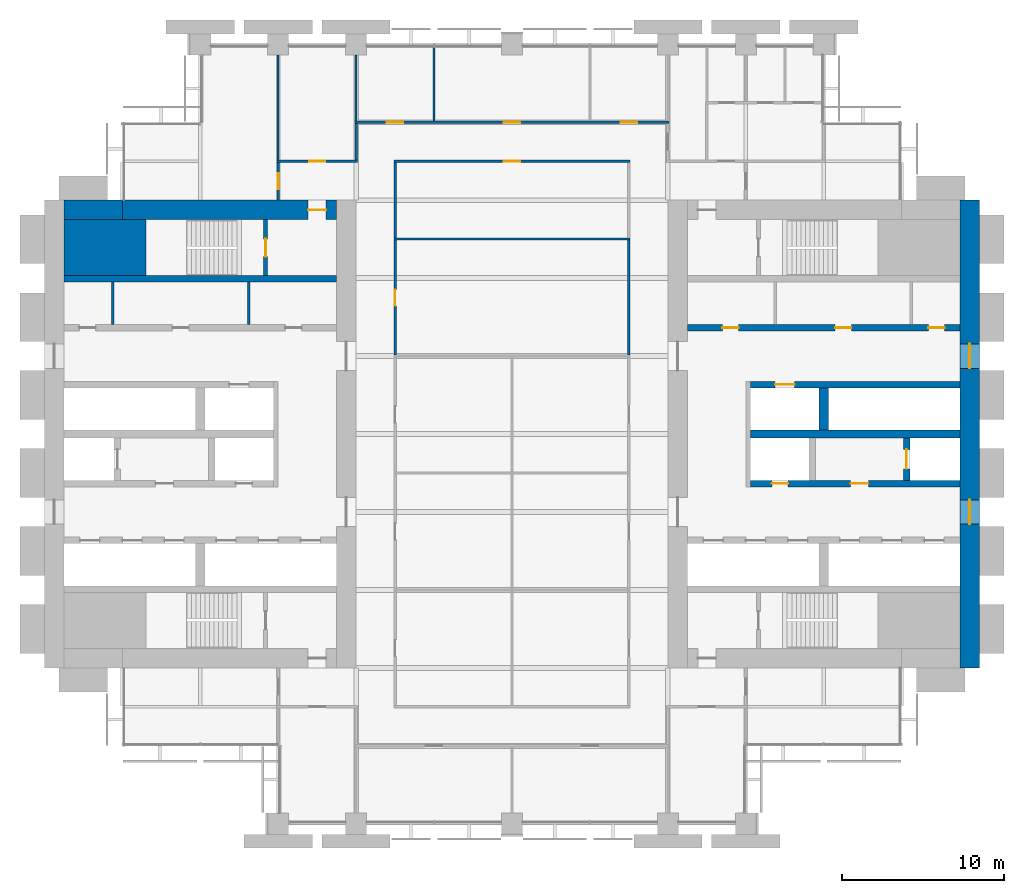
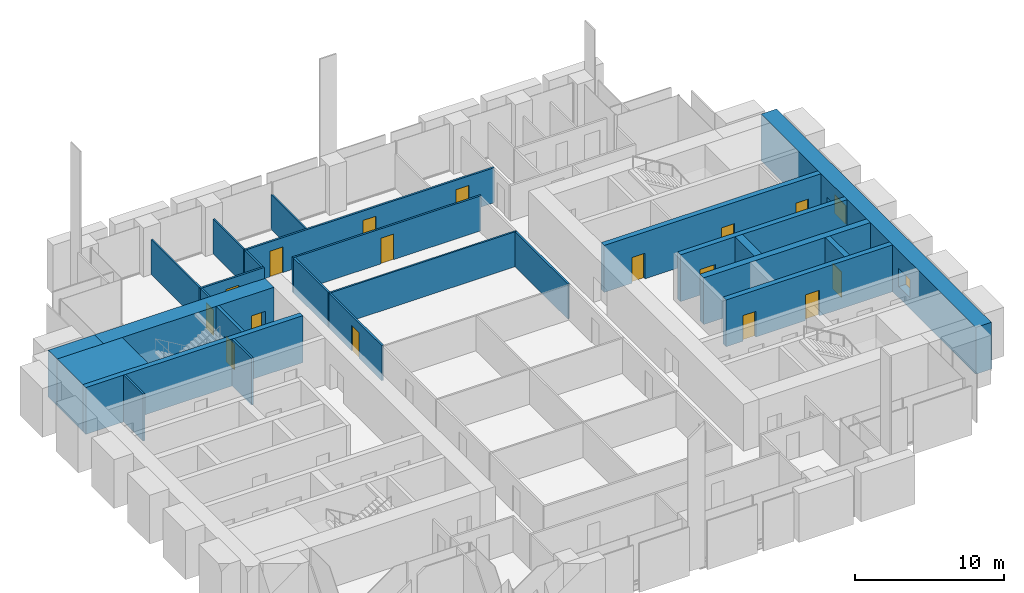
# One storey, part 11 of 14: 26 walls, 16 doors, 2 windows, 18 openings.
"""IFC4 building model written with IfcOpenShell, lengths in metres."""

from ifc_helpers import new_model, si_unit, direction, frame, frame_2d, origin, place, context, subcontext, project, spatial, rectangle, extrude, material, layer, layer_set, type_object, element, fill, save


model = new_model("IFC4")

# Units and contexts
model_context = context("Model", 3, precision=1e-05, world=origin(), true_north=direction((0.0, 1.0)))
body_context = subcontext(model_context, "Body", "Model", "MODEL_VIEW")
ifc_project = project(units=[si_unit("LENGTHUNIT", "METRE"), si_unit("AREAUNIT", "SQUARE_METRE"), si_unit("VOLUMEUNIT", "CUBIC_METRE"), si_unit("PLANEANGLEUNIT", "RADIAN"), si_unit("MASSUNIT", "GRAM", prefix="KILO")], contexts=[model_context])

# Site, building, storey
site_placement = place(None, origin())
site = spatial("IfcSite", under=ifc_project, at=site_placement, CompositionType="ELEMENT")
building_placement = place(site_placement, origin())
building = spatial("IfcBuilding", under=site, at=building_placement, Name="Baori Bourse Tower", CompositionType="ELEMENT")
storey_placement = place(building_placement, frame((0.0, 0.0, 75.0)))
storey = spatial("IfcBuildingStorey", under=building, at=storey_placement, Name="L16", CompositionType="ELEMENT", Elevation=75.0)

# Walls
ifc_material_1 = material(Name="Concrete f'c 70 MPa", Category="concrete")
wall_type_1 = type_object("IfcWallType", Name="Core corner block f'c 70", PredefinedType="SHEAR", material=ifc_material_1)
wall_1_placement = place(storey_placement, frame((1.199951171875, 35.47509765625, 0.0), z_axis=(0.0, 0.0, 1.0), x_axis=(1.0, 0.0, 0.0)))
element("IfcWall", 1, at=wall_1_placement, inside=storey, type_object=wall_type_1, Name="Core wall W21", PredefinedType="SHEAR", context=body_context, shape_type="SweptSolid", body=[
    extrude(rectangle(XDim=5.050048828125, YDim=3.449951171875, at=frame_2d((2.52490234375, 0.0))), origin(), (0.0, 0.0, 1.0), 3.840087890625),
])
ifc_material_2 = material(Name="Blockwork partition", Category="masonry")
ifc_layer_1 = layer(ifc_material_2, 0.14990234375)
ifc_layer_set_1 = layer_set([ifc_layer_1], Name="Core partition 150")
wall_type_2 = type_object("IfcWallType", Name="Core partition 150", PredefinedType="PARTITIONING", material=ifc_layer_set_1)
for number, where, z_axis, x_axis, name in (
    (2, (4.199951171875, 30.75, 0.0), (0.0, 0.0, 1.0), (0.0, 1.0, 0.0), "Partition wall W18"),
    (3, (12.60009765625, 30.75, 0.0), (0.0, 0.0, 1.0), (0.0, 1.0, 0.0), "Partition wall W19"),
):
    element("IfcWall", number, at=place(storey_placement, frame(where, z_axis=z_axis, x_axis=x_axis)), inside=storey, type_object=wall_type_2, Name=name, PredefinedType="PARTITIONING", context=body_context, shape_type="SweptSolid", body=[
        extrude(rectangle(XDim=2.60009765625, YDim=0.14990234375, at=frame_2d((1.300048828125, 0.0))), origin(), (0.0, 0.0, 1.0), 3.840087890625),
    ])
ifc_material_3 = material(Name="Concrete f'c 70 MPa", Category="concrete")
ifc_layer_2 = layer(ifc_material_3, 1.199951171875)
ifc_layer_set_2 = layer_set([ifc_layer_2], Name="Core wall 1200 f'c 70")
wall_type_3 = type_object("IfcWallType", Name="Core wall 1200 f'c 70", PredefinedType="SHEAR", material=ifc_layer_set_2)
wall_2_placement = place(storey_placement, frame((1.199951171875, 37.800048828125, 0.0), z_axis=(0.0, 0.0, 1.0), x_axis=(1.0, 0.0, 0.0)))
element("IfcWall", 4, at=wall_2_placement, inside=storey, type_object=wall_type_3, Name="Core wall W23", PredefinedType="SHEAR", context=body_context, shape_type="SweptSolid", body=[
    extrude(rectangle(XDim=3.60009765625, YDim=1.199951171875, at=frame_2d((1.800048828125, 0.0))), origin(), (0.0, 0.0, 1.0), 3.840087890625),
])

# Wall, opening, door
wall_3_placement = place(storey_placement, frame((4.800048828125, 37.800048828125, 0.0), z_axis=(0.0, 0.0, 1.0), x_axis=(1.0, 0.0, 0.0)))
wall_3 = element("IfcWall", 5, at=wall_3_placement, inside=storey, type_object=wall_type_3, Name="Core wall W24", PredefinedType="SHEAR", context=body_context, shape_type="SweptSolid", body=[
    extrude(rectangle(XDim=13.199951171875, YDim=1.199951171875, at=frame_2d((6.60009765625, 0.0))), origin(), (0.0, 0.0, 1.0), 3.840087890625),
])
opening_1_placement = place(wall_3_placement, frame((11.449951171875, 0.0, 0.0)))
opening_1 = element("IfcOpeningElement", 6, at=opening_1_placement, cuts=wall_3, Name="Opening L16-D104", PredefinedType="OPENING", context=body_context, shape_type="SweptSolid", body=[
    extrude(rectangle(XDim=1.10009765625, YDim=2.10009765625, at=frame_2d((0.550048828125, 1.050048828125))), frame((0.0, 0.60986328125, 0.0), z_axis=(0.0, -1.0, 0.0), x_axis=(1.0, 0.0, 0.0)), (0.0, 0.0, 1.0), 1.219970703125),
])
ifc_material_4 = material(Name="Painted steel door", Category="steel")
door_type_1 = type_object("IfcDoorType", Name="Stair door 1100", OperationType="SINGLE_SWING_LEFT", PredefinedType="DOOR", material=ifc_material_4)
door_1_placement = place(opening_1_placement, origin())
door_1 = element("IfcDoor", 7, at=door_1_placement, inside=storey, type_object=door_type_1, Name="Stair vestibule door B W L16", OperationType="SINGLE_SWING_LEFT", OverallHeight=2.10009765625, OverallWidth=1.10009765625, PredefinedType="DOOR", context=body_context, shape_type="SweptSolid", body=[
    extrude(rectangle(XDim=1.10009765625, YDim=2.10009765625, at=frame_2d((0.550048828125, 1.050048828125))), frame((0.0, 0.02490234375, 0.0), z_axis=(0.0, -1.0, 0.0), x_axis=(1.0, 0.0, 0.0)), (0.0, 0.0, 1.0), 0.050048828125),
])
fill(opening_1, door_1)

# Wall, openings, windows
wall_4_placement = place(storey_placement, frame((57.0, 38.39990234375, 0.0), z_axis=(0.0, 0.0, 1.0), x_axis=(0.0, -1.0, 0.0)))
wall_4 = element("IfcWall", 8, at=wall_4_placement, inside=storey, type_object=wall_type_3, Name="Core wall E01", PredefinedType="SHEAR", context=body_context, shape_type="SweptSolid", body=[
    extrude(rectangle(XDim=28.7998046875, YDim=1.199951171875, at=frame_2d((14.39990234375, 0.0))), origin(), (0.0, 0.0, 1.0), 3.840087890625),
])
opening_2_placement = place(wall_4_placement, frame((18.449951171875, 0.0, 0.89990234375)))
opening_2 = element("IfcOpeningElement", 9, at=opening_2_placement, cuts=wall_4, Name="Opening L16-KW201", PredefinedType="OPENING", context=body_context, shape_type="SweptSolid", body=[
    extrude(rectangle(XDim=1.5, YDim=1.5, at=frame_2d((0.75, 0.75))), frame((0.0, 0.60986328125, 0.0), z_axis=(0.0, -1.0, 0.0), x_axis=(1.0, 0.0, 0.0)), (0.0, 0.0, 1.0), 1.219970703125),
])
opening_3_placement = place(wall_4_placement, frame((8.85009765625, 0.0, 0.89990234375)))
opening_3 = element("IfcOpeningElement", 10, at=opening_3_placement, cuts=wall_4, Name="Opening L16-KW202", PredefinedType="OPENING", context=body_context, shape_type="SweptSolid", body=[
    extrude(rectangle(XDim=1.5, YDim=1.5, at=frame_2d((0.75, 0.75))), frame((0.0, 0.60986328125, 0.0), z_axis=(0.0, -1.0, 0.0), x_axis=(1.0, 0.0, 0.0)), (0.0, 0.0, 1.0), 1.219970703125),
])
ifc_material_5 = material(Name="Pale anodised aluminium", Category="aluminium")
window_type = type_object("IfcWindowType", Name="Lobby window 1500 x 1500", PartitioningType="SINGLE_PANEL", PredefinedType="WINDOW", material=ifc_material_5)
window_1_placement = place(opening_2_placement, origin())
window_1 = element("IfcWindow", 11, at=window_1_placement, inside=storey, type_object=window_type, Name="Outer wall window E L16 1", OverallHeight=1.5, OverallWidth=1.5, PartitioningType="SINGLE_PANEL", PredefinedType="WINDOW", context=body_context, shape_type="SweptSolid", body=[
    extrude(rectangle(XDim=1.5, YDim=1.5, at=frame_2d((0.75, 0.75))), frame((0.0, 0.030029296875, 0.0), z_axis=(0.0, -1.0, 0.0), x_axis=(1.0, 0.0, 0.0)), (0.0, 0.0, 1.0), 0.06005859375),
])
fill(opening_2, window_1)
window_2_placement = place(opening_3_placement, origin())
window_2 = element("IfcWindow", 12, at=window_2_placement, inside=storey, type_object=window_type, Name="Outer wall window E L16 2", OverallHeight=1.5, OverallWidth=1.5, PartitioningType="SINGLE_PANEL", PredefinedType="WINDOW", context=body_context, shape_type="SweptSolid", body=[
    extrude(rectangle(XDim=1.5, YDim=1.5, at=frame_2d((0.75, 0.75))), frame((0.0, 0.030029296875, 0.0), z_axis=(0.0, -1.0, 0.0), x_axis=(1.0, 0.0, 0.0)), (0.0, 0.0, 1.0), 0.06005859375),
])
fill(opening_3, window_2)

# Wall, opening, door
ifc_material_6 = material(Name="Gypsum board partition")
ifc_layer_3 = layer(ifc_material_6, 0.14990234375)
ifc_layer_set_3 = layer_set([ifc_layer_3], Name="Corridor partition 150")
wall_type_4 = type_object("IfcWallType", Name="Corridor partition 150", PredefinedType="PARTITIONING", material=ifc_layer_set_3)
wall_5_placement = place(storey_placement, frame((14.324951171875, 40.800048828125, 0.0), z_axis=(0.0, 0.0, 1.0), x_axis=(1.0, 0.0, 0.0)))
wall_5 = element("IfcWall", 13, at=wall_5_placement, inside=storey, type_object=wall_type_4, Name="Partition", PredefinedType="PARTITIONING", context=body_context, shape_type="SweptSolid", body=[
    extrude(rectangle(XDim=4.949951171875, YDim=0.14990234375, at=frame_2d((2.47509765625, 0.0))), origin(), (0.0, 0.0, 1.0), 2.86962890625),
])
opening_4_placement = place(wall_5_placement, frame((1.97509765625, 0.0, 0.0)))
opening_4 = element("IfcOpeningElement", 14, at=opening_4_placement, cuts=wall_5, Name="Opening L16-D05", PredefinedType="OPENING", context=body_context, shape_type="SweptSolid", body=[
    extrude(rectangle(XDim=1.0, YDim=2.10009765625, at=frame_2d((0.5, 1.050048828125))), frame((0.0, 0.0849609375, 0.0), z_axis=(0.0, -1.0, 0.0), x_axis=(1.0, 0.0, 0.0)), (0.0, 0.0, 1.0), 0.169921875),
])
ifc_material_7 = material(Name="Timber door leaf", Category="wood")
door_type_2 = type_object("IfcDoorType", Name="Door 1000 x 2100", OperationType="SINGLE_SWING_LEFT", PredefinedType="DOOR", material=ifc_material_7)
door_2_placement = place(opening_4_placement, origin())
door_2 = element("IfcDoor", 15, at=door_2_placement, inside=storey, type_object=door_type_2, Name="Door", OperationType="SINGLE_SWING_LEFT", OverallHeight=2.10009765625, OverallWidth=1.0, PredefinedType="DOOR", context=body_context, shape_type="SweptSolid", body=[
    extrude(rectangle(XDim=1.0, YDim=2.10009765625, at=frame_2d((0.5, 1.050048828125))), frame((0.0, 0.02490234375, 0.0), z_axis=(0.0, -1.0, 0.0), x_axis=(1.0, 0.0, 0.0)), (0.0, 0.0, 1.0), 0.050048828125),
])
fill(opening_4, door_2)

wall_6_placement = place(storey_placement, frame((21.52490234375, 40.800048828125, 0.0), z_axis=(0.0, 0.0, 1.0), x_axis=(1.0, 0.0, 0.0)))
wall_6 = element("IfcWall", 16, at=wall_6_placement, inside=storey, type_object=wall_type_4, Name="Partition", PredefinedType="PARTITIONING", context=body_context, shape_type="SweptSolid", body=[
    extrude(rectangle(XDim=14.550048828125, YDim=0.14990234375, at=frame_2d((7.27490234375, 0.0))), origin(), (0.0, 0.0, 1.0), 2.86962890625),
])
opening_5_placement = place(wall_6_placement, frame((6.77490234375, 0.0, 0.0)))
opening_5 = element("IfcOpeningElement", 17, at=opening_5_placement, cuts=wall_6, Name="Opening L16-D06", PredefinedType="OPENING", context=body_context, shape_type="SweptSolid", body=[
    extrude(rectangle(XDim=1.0, YDim=2.10009765625, at=frame_2d((0.5, 1.050048828125))), frame((0.0, 0.0849609375, 0.0), z_axis=(0.0, -1.0, 0.0), x_axis=(1.0, 0.0, 0.0)), (0.0, 0.0, 1.0), 0.169921875),
])
door_3_placement = place(opening_5_placement, origin())
door_3 = element("IfcDoor", 18, at=door_3_placement, inside=storey, type_object=door_type_2, Name="Door", OperationType="SINGLE_SWING_LEFT", OverallHeight=2.10009765625, OverallWidth=1.0, PredefinedType="DOOR", context=body_context, shape_type="SweptSolid", body=[
    extrude(rectangle(XDim=1.0, YDim=2.10009765625, at=frame_2d((0.5, 1.050048828125))), frame((0.0, 0.02490234375, 0.0), z_axis=(0.0, -1.0, 0.0), x_axis=(1.0, 0.0, 0.0)), (0.0, 0.0, 1.0), 0.050048828125),
])
fill(opening_5, door_3)

# Wall, openings, doors
wall_7_placement = place(storey_placement, frame((19.125, 43.199951171875, 0.0), z_axis=(0.0, 0.0, 1.0), x_axis=(1.0, 0.0, 0.0)))
wall_7 = element("IfcWall", 19, at=wall_7_placement, inside=storey, type_object=wall_type_4, Name="Partition", PredefinedType="PARTITIONING", context=body_context, shape_type="SweptSolid", body=[
    extrude(rectangle(XDim=19.35009765625, YDim=0.14990234375, at=frame_2d((9.675048828125, 0.0))), origin(), (0.0, 0.0, 1.0), 2.86962890625),
])
opening_6_placement = place(wall_7_placement, frame((1.97509765625, 0.0, 0.0)))
opening_6 = element("IfcOpeningElement", 20, at=opening_6_placement, cuts=wall_7, Name="Opening L16-D08", PredefinedType="OPENING", context=body_context, shape_type="SweptSolid", body=[
    extrude(rectangle(XDim=1.0, YDim=2.10009765625, at=frame_2d((0.5, 1.050048828125))), frame((0.0, 0.0849609375, 0.0), z_axis=(0.0, -1.0, 0.0), x_axis=(1.0, 0.0, 0.0)), (0.0, 0.0, 1.0), 0.169921875),
])
opening_7_placement = place(wall_7_placement, frame((9.175048828125, 0.0, 0.0)))
opening_7 = element("IfcOpeningElement", 21, at=opening_7_placement, cuts=wall_7, Name="Opening L16-D09", PredefinedType="OPENING", context=body_context, shape_type="SweptSolid", body=[
    extrude(rectangle(XDim=1.0, YDim=2.10009765625, at=frame_2d((0.5, 1.050048828125))), frame((0.0, 0.0849609375, 0.0), z_axis=(0.0, -1.0, 0.0), x_axis=(1.0, 0.0, 0.0)), (0.0, 0.0, 1.0), 0.169921875),
])
opening_8_placement = place(wall_7_placement, frame((16.375, 0.0, 0.0)))
opening_8 = element("IfcOpeningElement", 22, at=opening_8_placement, cuts=wall_7, Name="Opening L16-D10", PredefinedType="OPENING", context=body_context, shape_type="SweptSolid", body=[
    extrude(rectangle(XDim=1.0, YDim=2.10009765625, at=frame_2d((0.5, 1.050048828125))), frame((0.0, 0.0849609375, 0.0), z_axis=(0.0, -1.0, 0.0), x_axis=(1.0, 0.0, 0.0)), (0.0, 0.0, 1.0), 0.169921875),
])
door_4_placement = place(opening_6_placement, origin())
door_4 = element("IfcDoor", 23, at=door_4_placement, inside=storey, type_object=door_type_2, Name="Door", OperationType="SINGLE_SWING_RIGHT", OverallHeight=2.10009765625, OverallWidth=1.0, PredefinedType="DOOR", context=body_context, shape_type="SweptSolid", body=[
    extrude(rectangle(XDim=1.0, YDim=2.10009765625, at=frame_2d((0.5, 1.050048828125))), frame((0.0, 0.02490234375, 0.0), z_axis=(0.0, -1.0, 0.0), x_axis=(1.0, 0.0, 0.0)), (0.0, 0.0, 1.0), 0.050048828125),
])
fill(opening_6, door_4)
door_5_placement = place(opening_7_placement, origin())
door_5 = element("IfcDoor", 24, at=door_5_placement, inside=storey, type_object=door_type_2, Name="Door", OperationType="SINGLE_SWING_RIGHT", OverallHeight=2.10009765625, OverallWidth=1.0, PredefinedType="DOOR", context=body_context, shape_type="SweptSolid", body=[
    extrude(rectangle(XDim=1.0, YDim=2.10009765625, at=frame_2d((0.5, 1.050048828125))), frame((0.0, 0.02490234375, 0.0), z_axis=(0.0, -1.0, 0.0), x_axis=(1.0, 0.0, 0.0)), (0.0, 0.0, 1.0), 0.050048828125),
])
fill(opening_7, door_5)
door_6_placement = place(opening_8_placement, origin())
door_6 = element("IfcDoor", 25, at=door_6_placement, inside=storey, type_object=door_type_2, Name="Door", OperationType="SINGLE_SWING_LEFT", OverallHeight=2.10009765625, OverallWidth=1.0, PredefinedType="DOOR", context=body_context, shape_type="SweptSolid", body=[
    extrude(rectangle(XDim=1.0, YDim=2.10009765625, at=frame_2d((0.5, 1.050048828125))), frame((0.0, 0.02490234375, 0.0), z_axis=(0.0, -1.0, 0.0), x_axis=(1.0, 0.0, 0.0)), (0.0, 0.0, 1.0), 0.050048828125),
])
fill(opening_8, door_6)

# Wall, opening, door
wall_8_placement = place(storey_placement, frame((14.39990234375, 38.39990234375, 0.0), z_axis=(0.0, 0.0, 1.0), x_axis=(0.0, 1.0, 0.0)))
wall_8 = element("IfcWall", 26, at=wall_8_placement, inside=storey, type_object=wall_type_4, Name="Partition", PredefinedType="PARTITIONING", context=body_context, shape_type="SweptSolid", body=[
    extrude(rectangle(XDim=2.3251953125, YDim=0.14990234375, at=frame_2d((1.16259765625, 0.0))), origin(), (0.0, 0.0, 1.0), 2.86962890625),
])
opening_9_placement = place(wall_8_placement, frame((0.66259765625, 0.0, 0.0)))
opening_9 = element("IfcOpeningElement", 27, at=opening_9_placement, cuts=wall_8, Name="Opening L16-D15", PredefinedType="OPENING", context=body_context, shape_type="SweptSolid", body=[
    extrude(rectangle(XDim=1.0, YDim=2.10009765625, at=frame_2d((0.5, 1.050048828125))), frame((0.0, 0.0849609375, 0.0), z_axis=(0.0, -1.0, 0.0), x_axis=(1.0, 0.0, 0.0)), (0.0, 0.0, 1.0), 0.169921875),
])
door_7_placement = place(opening_9_placement, origin())
door_7 = element("IfcDoor", 28, at=door_7_placement, inside=storey, type_object=door_type_2, Name="Door", OperationType="SINGLE_SWING_RIGHT", OverallHeight=2.10009765625, OverallWidth=1.0, PredefinedType="DOOR", context=body_context, shape_type="SweptSolid", body=[
    extrude(rectangle(XDim=1.0, YDim=2.10009765625, at=frame_2d((0.5, 1.050048828125))), frame((0.0, 0.02490234375, 0.0), z_axis=(0.0, -1.0, 0.0), x_axis=(1.0, 0.0, 0.0)), (0.0, 0.0, 1.0), 0.050048828125),
])
fill(opening_9, door_7)

# Wall
wall_9_placement = place(storey_placement, frame((19.199951171875, 40.875, 0.0), z_axis=(0.0, 0.0, 1.0), x_axis=(0.0, 1.0, 0.0)))
element("IfcWall", 29, at=wall_9_placement, inside=storey, type_object=wall_type_4, Name="Partition", PredefinedType="PARTITIONING", context=body_context, shape_type="SweptSolid", body=[
    extrude(rectangle(XDim=2.25, YDim=0.14990234375, at=frame_2d((1.125, 0.0))), origin(), (0.0, 0.0, 1.0), 2.86962890625),
])

# Wall, opening, door
wall_10_placement = place(storey_placement, frame((21.60009765625, 28.862548828125, 0.0), z_axis=(0.0, 0.0, 1.0), x_axis=(0.0, 1.0, 0.0)))
wall_10 = element("IfcWall", 30, at=wall_10_placement, inside=storey, type_object=wall_type_4, Name="Partition", PredefinedType="PARTITIONING", context=body_context, shape_type="SweptSolid", body=[
    extrude(rectangle(XDim=7.074951171875, YDim=0.14990234375, at=frame_2d((3.53759765625, 0.0))), origin(), (0.0, 0.0, 1.0), 2.86962890625),
])
opening_10_placement = place(wall_10_placement, frame((3.03759765625, 0.0, 0.0)))
opening_10 = element("IfcOpeningElement", 31, at=opening_10_placement, cuts=wall_10, Name="Opening L16-D19", PredefinedType="OPENING", context=body_context, shape_type="SweptSolid", body=[
    extrude(rectangle(XDim=1.0, YDim=2.10009765625, at=frame_2d((0.5, 1.050048828125))), frame((0.0, 0.0849609375, 0.0), z_axis=(0.0, -1.0, 0.0), x_axis=(1.0, 0.0, 0.0)), (0.0, 0.0, 1.0), 0.169921875),
])
door_8_placement = place(opening_10_placement, origin())
door_8 = element("IfcDoor", 32, at=door_8_placement, inside=storey, type_object=door_type_2, Name="Door", OperationType="SINGLE_SWING_LEFT", OverallHeight=2.10009765625, OverallWidth=1.0, PredefinedType="DOOR", context=body_context, shape_type="SweptSolid", body=[
    extrude(rectangle(XDim=1.0, YDim=2.10009765625, at=frame_2d((0.5, 1.050048828125))), frame((0.0, 0.02490234375, 0.0), z_axis=(0.0, -1.0, 0.0), x_axis=(1.0, 0.0, 0.0)), (0.0, 0.0, 1.0), 0.050048828125),
])
fill(opening_10, door_8)

# Walls
wall_11_placement = place(storey_placement, frame((21.60009765625, 36.0625, 0.0), z_axis=(0.0, 0.0, 1.0), x_axis=(0.0, 1.0, 0.0)))
element("IfcWall", 33, at=wall_11_placement, inside=storey, type_object=wall_type_4, Name="Partition", PredefinedType="PARTITIONING", context=body_context, shape_type="SweptSolid", body=[
    extrude(rectangle(XDim=4.66259765625, YDim=0.14990234375, at=frame_2d((2.331298828125, 0.0))), origin(), (0.0, 0.0, 1.0), 2.86962890625),
])
wall_12_placement = place(storey_placement, frame((36.0, 28.862548828125, 0.0), z_axis=(0.0, 0.0, 1.0), x_axis=(0.0, 1.0, 0.0)))
element("IfcWall", 34, at=wall_12_placement, inside=storey, type_object=wall_type_4, Name="Partition", PredefinedType="PARTITIONING", context=body_context, shape_type="SweptSolid", body=[
    extrude(rectangle(XDim=7.074951171875, YDim=0.14990234375, at=frame_2d((3.53759765625, 0.0))), origin(), (0.0, 0.0, 1.0), 2.86962890625),
])
ifc_material_8 = material(Name="Gypsum board partition")
ifc_layer_4 = layer(ifc_material_8, 0.125)
ifc_layer_set_4 = layer_set([ifc_layer_4], Name="Partition 125")
wall_type_5 = type_object("IfcWallType", Name="Partition 125", PredefinedType="PARTITIONING", material=ifc_layer_set_4)
wall_13_placement = place(storey_placement, frame((21.52490234375, 36.0, 0.0), z_axis=(0.0, 0.0, 1.0), x_axis=(1.0, 0.0, 0.0)))
element("IfcWall", 35, at=wall_13_placement, inside=storey, type_object=wall_type_5, Name="Partition", PredefinedType="PARTITIONING", context=body_context, shape_type="SweptSolid", body=[
    extrude(rectangle(XDim=14.550048828125, YDim=0.125, at=frame_2d((7.27490234375, 0.0))), origin(), (0.0, 0.0, 1.0), 2.86962890625),
])
wall_14_placement = place(storey_placement, frame((14.39990234375, 40.875, 0.0), z_axis=(0.0, 0.0, 1.0), x_axis=(0.0, 1.0, 0.0)))
element("IfcWall", 36, at=wall_14_placement, inside=storey, type_object=wall_type_5, Name="Partition", PredefinedType="PARTITIONING", context=body_context, shape_type="SweptSolid", body=[
    extrude(rectangle(XDim=6.47509765625, YDim=0.125, at=frame_2d((3.237548828125, 0.0))), origin(), (0.0, 0.0, 1.0), 2.86962890625),
])
wall_15_placement = place(storey_placement, frame((19.199951171875, 43.27490234375, 0.0), z_axis=(0.0, 0.0, 1.0), x_axis=(0.0, 1.0, 0.0)))
element("IfcWall", 37, at=wall_15_placement, inside=storey, type_object=wall_type_5, Name="Partition", PredefinedType="PARTITIONING", context=body_context, shape_type="SweptSolid", body=[
    extrude(rectangle(XDim=4.0751953125, YDim=0.125, at=frame_2d((2.03759765625, 0.0))), origin(), (0.0, 0.0, 1.0), 2.86962890625),
])
wall_16_placement = place(storey_placement, frame((24.0, 43.27490234375, 0.0), z_axis=(0.0, 0.0, 1.0), x_axis=(0.0, 1.0, 0.0)))
element("IfcWall", 38, at=wall_16_placement, inside=storey, type_object=wall_type_5, Name="Partition", PredefinedType="PARTITIONING", context=body_context, shape_type="SweptSolid", body=[
    extrude(rectangle(XDim=4.625, YDim=0.125, at=frame_2d((2.3125, 0.0))), origin(), (0.0, 0.0, 1.0), 2.86962890625),
])

# Wall, opening, door
ifc_material_9 = material(Name="Concrete f'c 70 MPa", Category="concrete")
ifc_layer_5 = layer(ifc_material_9, 0.25)
ifc_layer_set_5 = layer_set([ifc_layer_5], Name="Shaft wall 250 f'c 70")
wall_type_6 = type_object("IfcWallType", Name="Shaft wall 250 f'c 70", PredefinedType="SHEAR", material=ifc_layer_set_5)
wall_17_placement = place(storey_placement, frame((13.625, 33.75, 0.0), z_axis=(0.0, 0.0, 1.0), x_axis=(0.0, 1.0, 0.0)))
wall_17 = element("IfcWall", 39, at=wall_17_placement, inside=storey, type_object=wall_type_6, Name="Core wall W22", PredefinedType="SHEAR", context=body_context, shape_type="SweptSolid", body=[
    extrude(rectangle(XDim=3.449951171875, YDim=0.25, at=frame_2d((1.72509765625, 0.0))), origin(), (0.0, 0.0, 1.0), 3.840087890625),
])
opening_11_placement = place(wall_17_placement, frame((1.175048828125, 0.0, 0.0)))
opening_11 = element("IfcOpeningElement", 40, at=opening_11_placement, cuts=wall_17, Name="Opening L16-D103", PredefinedType="OPENING", context=body_context, shape_type="SweptSolid", body=[
    extrude(rectangle(XDim=1.10009765625, YDim=2.10009765625, at=frame_2d((0.550048828125, 1.050048828125))), frame((0.0, 0.135009765625, 0.0), z_axis=(0.0, -1.0, 0.0), x_axis=(1.0, 0.0, 0.0)), (0.0, 0.0, 1.0), 0.27001953125),
])
door_9_placement = place(opening_11_placement, origin())
door_9 = element("IfcDoor", 41, at=door_9_placement, inside=storey, type_object=door_type_1, Name="Stair door B W L16", OperationType="SINGLE_SWING_LEFT", OverallHeight=2.10009765625, OverallWidth=1.10009765625, PredefinedType="DOOR", context=body_context, shape_type="SweptSolid", body=[
    extrude(rectangle(XDim=1.10009765625, YDim=2.10009765625, at=frame_2d((0.550048828125, 1.050048828125))), frame((0.0, 0.02490234375, 0.0), z_axis=(0.0, -1.0, 0.0), x_axis=(1.0, 0.0, 0.0)), (0.0, 0.0, 1.0), 0.050048828125),
])
fill(opening_11, door_9)

# Wall
ifc_material_10 = material(Name="Concrete f'c 70 MPa", Category="concrete")
ifc_layer_6 = layer(ifc_material_10, 0.39990234375)
ifc_layer_set_6 = layer_set([ifc_layer_6], Name="Shaft wall 400 f'c 70")
wall_type_7 = type_object("IfcWallType", Name="Shaft wall 400 f'c 70", PredefinedType="SHEAR", material=ifc_layer_set_6)
wall_18_placement = place(storey_placement, frame((1.199951171875, 33.550048828125, 0.0), z_axis=(0.0, 0.0, 1.0), x_axis=(1.0, 0.0, 0.0)))
element("IfcWall", 42, at=wall_18_placement, inside=storey, type_object=wall_type_7, Name="Core wall W20", PredefinedType="SHEAR", context=body_context, shape_type="SweptSolid", body=[
    extrude(rectangle(XDim=16.800048828125, YDim=0.39990234375, at=frame_2d((8.39990234375, 0.0))), origin(), (0.0, 0.0, 1.0), 3.840087890625),
])

# Wall, openings, doors
wall_19_placement = place(storey_placement, frame((43.5, 20.949951171875, 0.0), z_axis=(0.0, 0.0, 1.0), x_axis=(1.0, 0.0, 0.0)))
wall_19 = element("IfcWall", 43, at=wall_19_placement, inside=storey, type_object=wall_type_7, Name="Core wall E10", PredefinedType="SHEAR", context=body_context, shape_type="SweptSolid", body=[
    extrude(rectangle(XDim=12.89990234375, YDim=0.39990234375, at=frame_2d((6.449951171875, 0.0))), origin(), (0.0, 0.0, 1.0), 3.840087890625),
])
opening_12_placement = place(wall_19_placement, frame((6.14990234375, 0.0, 0.0)))
opening_12 = element("IfcOpeningElement", 44, at=opening_12_placement, cuts=wall_19, Name="Opening L16-D205", PredefinedType="OPENING", context=body_context, shape_type="SweptSolid", body=[
    extrude(rectangle(XDim=1.10009765625, YDim=2.10009765625, at=frame_2d((0.550048828125, 1.050048828125))), frame((0.0, 0.2099609375, 0.0), z_axis=(0.0, -1.0, 0.0), x_axis=(1.0, 0.0, 0.0)), (0.0, 0.0, 1.0), 0.419921875),
])
opening_13_placement = place(wall_19_placement, frame((1.300048828125, 0.0, 0.0)))
opening_13 = element("IfcOpeningElement", 45, at=opening_13_placement, cuts=wall_19, Name="Opening L16-D206", PredefinedType="OPENING", context=body_context, shape_type="SweptSolid", body=[
    extrude(rectangle(XDim=1.0, YDim=2.10009765625, at=frame_2d((0.5, 1.050048828125))), frame((0.0, 0.2099609375, 0.0), z_axis=(0.0, -1.0, 0.0), x_axis=(1.0, 0.0, 0.0)), (0.0, 0.0, 1.0), 0.419921875),
])
ifc_material_11 = material(Name="Painted steel door", Category="steel")
door_type_3 = type_object("IfcDoorType", Name="Lobby door 1100", OperationType="SINGLE_SWING_LEFT", PredefinedType="DOOR", material=ifc_material_11)
door_10_placement = place(opening_12_placement, origin())
door_10 = element("IfcDoor", 46, at=door_10_placement, inside=storey, type_object=door_type_3, Name="Firefighting lobby door E L16", OperationType="SINGLE_SWING_LEFT", OverallHeight=2.10009765625, OverallWidth=1.10009765625, PredefinedType="DOOR", context=body_context, shape_type="SweptSolid", body=[
    extrude(rectangle(XDim=1.10009765625, YDim=2.10009765625, at=frame_2d((0.550048828125, 1.050048828125))), frame((0.0, 0.02490234375, 0.0), z_axis=(0.0, -1.0, 0.0), x_axis=(1.0, 0.0, 0.0)), (0.0, 0.0, 1.0), 0.050048828125),
])
fill(opening_12, door_10)
ifc_material_12 = material(Name="Painted steel door", Category="steel")
door_type_4 = type_object("IfcDoorType", Name="Shaft door 1000", OperationType="SINGLE_SWING_LEFT", PredefinedType="DOOR", material=ifc_material_12)
door_11_placement = place(opening_13_placement, origin())
door_11 = element("IfcDoor", 47, at=door_11_placement, inside=storey, type_object=door_type_4, Name="Riser room door E L16", OperationType="SINGLE_SWING_LEFT", OverallHeight=2.10009765625, OverallWidth=1.0, PredefinedType="DOOR", context=body_context, shape_type="SweptSolid", body=[
    extrude(rectangle(XDim=1.0, YDim=2.10009765625, at=frame_2d((0.5, 1.050048828125))), frame((0.0, 0.02490234375, 0.0), z_axis=(0.0, -1.0, 0.0), x_axis=(1.0, 0.0, 0.0)), (0.0, 0.0, 1.0), 0.050048828125),
])
fill(opening_13, door_11)

# Wall, opening, door
wall_20_placement = place(storey_placement, frame((53.10009765625, 21.14990234375, 0.0), z_axis=(0.0, 0.0, 1.0), x_axis=(0.0, 1.0, 0.0)))
wall_20 = element("IfcWall", 48, at=wall_20_placement, inside=storey, type_object=wall_type_7, Name="Core wall E12", PredefinedType="SHEAR", context=body_context, shape_type="SweptSolid", body=[
    extrude(rectangle(XDim=2.60009765625, YDim=0.39990234375, at=frame_2d((1.300048828125, 0.0))), origin(), (0.0, 0.0, 1.0), 3.840087890625),
])
opening_14_placement = place(wall_20_placement, frame((0.699951171875, 0.0, 0.0)))
opening_14 = element("IfcOpeningElement", 49, at=opening_14_placement, cuts=wall_20, Name="Opening L16-D219", PredefinedType="OPENING", context=body_context, shape_type="SweptSolid", body=[
    extrude(rectangle(XDim=1.199951171875, YDim=2.10009765625, at=frame_2d((0.60009765625, 1.050048828125))), frame((0.0, 0.2099609375, 0.0), z_axis=(0.0, -1.0, 0.0), x_axis=(1.0, 0.0, 0.0)), (0.0, 0.0, 1.0), 0.419921875),
])
ifc_material_13 = material(Name="Stainless steel door", Category="steel")
door_type_5 = type_object("IfcDoorType", Name="Lift landing door", OperationType="DOUBLE_DOOR_SLIDING", PredefinedType="DOOR", material=ifc_material_13)
door_12_placement = place(opening_14_placement, origin())
door_12 = element("IfcDoor", 50, at=door_12_placement, inside=storey, type_object=door_type_5, Name="Lift landing door FF2 E L16", OperationType="DOUBLE_DOOR_SLIDING", OverallHeight=2.10009765625, OverallWidth=1.199951171875, PredefinedType="DOOR", context=body_context, shape_type="SweptSolid", body=[
    extrude(rectangle(XDim=1.199951171875, YDim=2.10009765625, at=frame_2d((0.60009765625, 1.050048828125))), frame((0.0, 0.02490234375, 0.0), z_axis=(0.0, -1.0, 0.0), x_axis=(1.0, 0.0, 0.0)), (0.0, 0.0, 1.0), 0.050048828125),
])
fill(opening_14, door_12)

wall_21_placement = place(storey_placement, frame((43.5, 27.050048828125, 0.0), z_axis=(0.0, 0.0, 1.0), x_axis=(1.0, 0.0, 0.0)))
wall_21 = element("IfcWall", 51, at=wall_21_placement, inside=storey, type_object=wall_type_7, Name="Core wall E16", PredefinedType="SHEAR", context=body_context, shape_type="SweptSolid", body=[
    extrude(rectangle(XDim=12.89990234375, YDim=0.39990234375, at=frame_2d((6.449951171875, 0.0))), origin(), (0.0, 0.0, 1.0), 3.840087890625),
])
opening_15_placement = place(wall_21_placement, frame((1.5, 0.0, 0.0)))
opening_15 = element("IfcOpeningElement", 52, at=opening_15_placement, cuts=wall_21, Name="Opening L16-D218", PredefinedType="OPENING", context=body_context, shape_type="SweptSolid", body=[
    extrude(rectangle(XDim=1.199951171875, YDim=2.10009765625, at=frame_2d((0.60009765625, 1.050048828125))), frame((0.0, 0.2099609375, 0.0), z_axis=(0.0, -1.0, 0.0), x_axis=(1.0, 0.0, 0.0)), (0.0, 0.0, 1.0), 0.419921875),
])
door_13_placement = place(opening_15_placement, origin())
door_13 = element("IfcDoor", 53, at=door_13_placement, inside=storey, type_object=door_type_5, Name="Lift landing door SV1 E L16", OperationType="DOUBLE_DOOR_SLIDING", OverallHeight=2.10009765625, OverallWidth=1.199951171875, PredefinedType="DOOR", context=body_context, shape_type="SweptSolid", body=[
    extrude(rectangle(XDim=1.199951171875, YDim=2.10009765625, at=frame_2d((0.60009765625, 1.050048828125))), frame((0.0, 0.02490234375, 0.0), z_axis=(0.0, -1.0, 0.0), x_axis=(1.0, 0.0, 0.0)), (0.0, 0.0, 1.0), 0.050048828125),
])
fill(opening_15, door_13)

# Wall, openings, doors
wall_22_placement = place(storey_placement, frame((39.60009765625, 30.550048828125, 0.0), z_axis=(0.0, 0.0, 1.0), x_axis=(1.0, 0.0, 0.0)))
wall_22 = element("IfcWall", 54, at=wall_22_placement, inside=storey, type_object=wall_type_7, Name="Core wall E17", PredefinedType="SHEAR", context=body_context, shape_type="SweptSolid", body=[
    extrude(rectangle(XDim=16.7998046875, YDim=0.39990234375, at=frame_2d((8.39990234375, 0.0))), origin(), (0.0, 0.0, 1.0), 3.840087890625),
])
opening_16_placement = place(wall_22_placement, frame((14.83740234375, 0.0, 0.0)))
opening_16 = element("IfcOpeningElement", 55, at=opening_16_placement, cuts=wall_22, Name="Opening L16-D209", PredefinedType="OPENING", context=body_context, shape_type="SweptSolid", body=[
    extrude(rectangle(XDim=1.0, YDim=2.10009765625, at=frame_2d((0.5, 1.050048828125))), frame((0.0, 0.2099609375, 0.0), z_axis=(0.0, -1.0, 0.0), x_axis=(1.0, 0.0, 0.0)), (0.0, 0.0, 1.0), 0.419921875),
])
opening_17_placement = place(wall_22_placement, frame((9.10009765625, 0.0, 0.0)))
opening_17 = element("IfcOpeningElement", 56, at=opening_17_placement, cuts=wall_22, Name="Opening L16-D210", PredefinedType="OPENING", context=body_context, shape_type="SweptSolid", body=[
    extrude(rectangle(XDim=1.0, YDim=2.10009765625, at=frame_2d((0.5, 1.050048828125))), frame((0.0, 0.2099609375, 0.0), z_axis=(0.0, -1.0, 0.0), x_axis=(1.0, 0.0, 0.0)), (0.0, 0.0, 1.0), 0.419921875),
])
opening_18_placement = place(wall_22_placement, frame((2.16259765625, 0.0, 0.0)))
opening_18 = element("IfcOpeningElement", 57, at=opening_18_placement, cuts=wall_22, Name="Opening L16-D211", PredefinedType="OPENING", context=body_context, shape_type="SweptSolid", body=[
    extrude(rectangle(XDim=1.0, YDim=2.10009765625, at=frame_2d((0.5, 1.050048828125))), frame((0.0, 0.2099609375, 0.0), z_axis=(0.0, -1.0, 0.0), x_axis=(1.0, 0.0, 0.0)), (0.0, 0.0, 1.0), 0.419921875),
])
ifc_material_14 = material(Name="Painted steel door", Category="steel")
door_type_6 = type_object("IfcDoorType", Name="Core door 1000", OperationType="SINGLE_SWING_LEFT", PredefinedType="DOOR", material=ifc_material_14)
door_14_placement = place(opening_16_placement, origin())
door_14 = element("IfcDoor", 58, at=door_14_placement, inside=storey, type_object=door_type_6, Name="Accessible Wc door E L16", OperationType="SINGLE_SWING_LEFT", OverallHeight=2.10009765625, OverallWidth=1.0, PredefinedType="DOOR", context=body_context, shape_type="SweptSolid", body=[
    extrude(rectangle(XDim=1.0, YDim=2.10009765625, at=frame_2d((0.5, 1.050048828125))), frame((0.0, 0.02490234375, 0.0), z_axis=(0.0, -1.0, 0.0), x_axis=(1.0, 0.0, 0.0)), (0.0, 0.0, 1.0), 0.050048828125),
])
fill(opening_16, door_14)
door_15_placement = place(opening_17_placement, origin())
door_15 = element("IfcDoor", 59, at=door_15_placement, inside=storey, type_object=door_type_6, Name="Men'S Wc door E L16", OperationType="SINGLE_SWING_LEFT", OverallHeight=2.10009765625, OverallWidth=1.0, PredefinedType="DOOR", context=body_context, shape_type="SweptSolid", body=[
    extrude(rectangle(XDim=1.0, YDim=2.10009765625, at=frame_2d((0.5, 1.050048828125))), frame((0.0, 0.02490234375, 0.0), z_axis=(0.0, -1.0, 0.0), x_axis=(1.0, 0.0, 0.0)), (0.0, 0.0, 1.0), 0.050048828125),
])
fill(opening_17, door_15)
door_16_placement = place(opening_18_placement, origin())
door_16 = element("IfcDoor", 60, at=door_16_placement, inside=storey, type_object=door_type_6, Name="Women'S Wc door E L16", OperationType="SINGLE_SWING_LEFT", OverallHeight=2.10009765625, OverallWidth=1.0, PredefinedType="DOOR", context=body_context, shape_type="SweptSolid", body=[
    extrude(rectangle(XDim=1.0, YDim=2.10009765625, at=frame_2d((0.5, 1.050048828125))), frame((0.0, 0.02490234375, 0.0), z_axis=(0.0, -1.0, 0.0), x_axis=(1.0, 0.0, 0.0)), (0.0, 0.0, 1.0), 0.050048828125),
])
fill(opening_18, door_16)

# Walls
ifc_material_15 = material(Name="Concrete f'c 70 MPa", Category="concrete")
ifc_layer_7 = layer(ifc_material_15, 0.5)
ifc_layer_set_7 = layer_set([ifc_layer_7], Name="Shaft wall 500 f'c 70")
wall_type_8 = type_object("IfcWallType", Name="Shaft wall 500 f'c 70", PredefinedType="SHEAR", material=ifc_layer_set_7)
wall_23_placement = place(storey_placement, frame((43.5, 24.0, 0.0), z_axis=(0.0, 0.0, 1.0), x_axis=(1.0, 0.0, 0.0)))
element("IfcWall", 61, at=wall_23_placement, inside=storey, type_object=wall_type_8, Name="Core wall E14", PredefinedType="SHEAR", context=body_context, shape_type="SweptSolid", body=[
    extrude(rectangle(XDim=12.89990234375, YDim=0.5, at=frame_2d((6.449951171875, 0.0))), origin(), (0.0, 0.0, 1.0), 3.840087890625),
])
ifc_material_16 = material(Name="Concrete f'c 70 MPa", Category="concrete")
ifc_layer_8 = layer(ifc_material_16, 0.60009765625)
ifc_layer_set_8 = layer_set([ifc_layer_8], Name="Shaft wall 600 f'c 70")
wall_type_9 = type_object("IfcWallType", Name="Shaft wall 600 f'c 70", PredefinedType="SHEAR", material=ifc_layer_set_8)
wall_24_placement = place(storey_placement, frame((48.0, 24.25, 0.0), z_axis=(0.0, 0.0, 1.0), x_axis=(0.0, 1.0, 0.0)))
element("IfcWall", 62, at=wall_24_placement, inside=storey, type_object=wall_type_9, Name="Core wall E15", PredefinedType="SHEAR", context=body_context, shape_type="SweptSolid", body=[
    extrude(rectangle(XDim=2.60009765625, YDim=0.60009765625, at=frame_2d((1.300048828125, 0.0))), origin(), (0.0, 0.0, 1.0), 3.840087890625),
])

save(model, "model.ifc")
